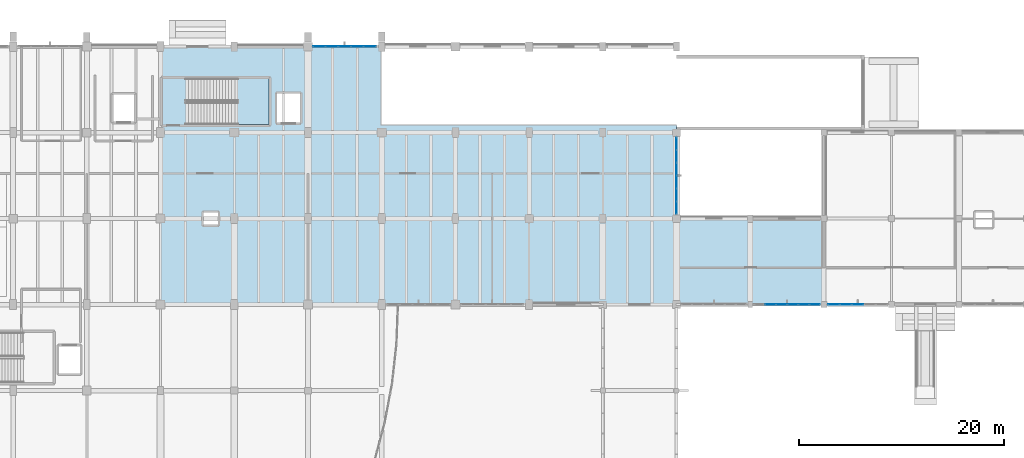
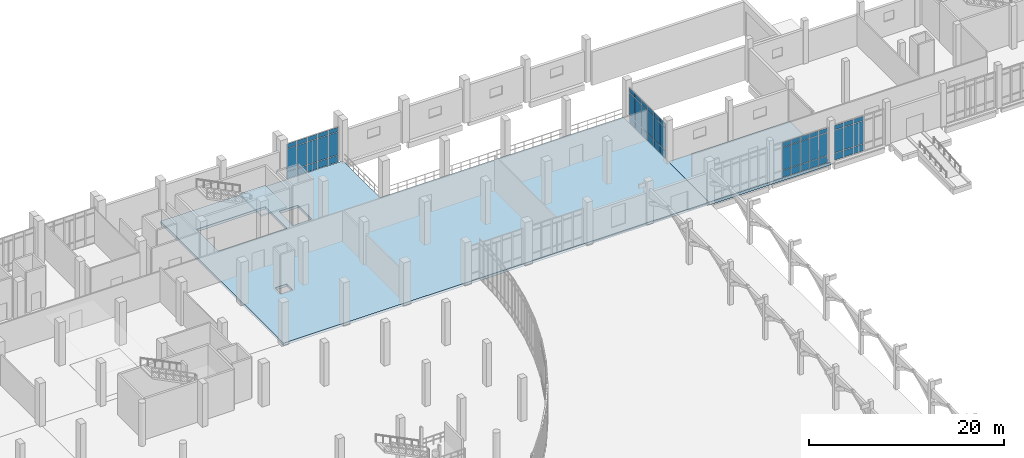
# One storey, part 85 of 110: 57 plates, 3 slabs, 5 elements without a shape of their own.
"""IFC4 building model written with IfcOpenShell, lengths in metres."""

from ifc_helpers import new_model, si_unit, direction, frame, origin, origin_2d, place, context, subcontext, project, spatial, polyline, rectangle, outline, extrude, material, layer, layer_set, type_object, element, aggregate, save


model = new_model("IFC4")

# Units and contexts
model_context = context("Model", 3, precision=1e-05, world=origin(), true_north=direction((0.0, 1.0)))
body_context = subcontext(model_context, "Body", "Model", "MODEL_VIEW")
ifc_project = project(units=[si_unit("LENGTHUNIT", "METRE"), si_unit("AREAUNIT", "SQUARE_METRE"), si_unit("VOLUMEUNIT", "CUBIC_METRE"), si_unit("PLANEANGLEUNIT", "RADIAN"), si_unit("MASSUNIT", "GRAM", prefix="KILO")], contexts=[model_context])

# Site, building, storey
site_placement = place(None, origin())
site = spatial("IfcSite", under=ifc_project, at=site_placement, CompositionType="ELEMENT")
building_placement = place(site_placement, origin())
building = spatial("IfcBuilding", under=site, at=building_placement, Name="Kalluvel Institute of Natural Sciences", CompositionType="ELEMENT")
storey_placement = place(building_placement, origin())
storey = spatial("IfcBuildingStorey", under=building, at=storey_placement, Name="L00", CompositionType="ELEMENT", Elevation=0.0)

# Curtain wall, plates
ifc_material_1 = material(Name="Aluminium AW-6063 T6", Category="aluminium")
curtain_wall_type_1 = type_object("IfcCurtainWallType", Name="CW-WET-54", PredefinedType="USERDEFINED", material=ifc_material_1)
curtain_wall_1_placement = place(storey_placement, origin())
curtain_wall_1 = element("IfcCurtainWall", 1, at=curtain_wall_1_placement, inside=storey, type_object=curtain_wall_type_1, Name="L00 Gothic lancet curtain wall CWA-L00-X793-Y1280", ObjectType="UNITISED LANCET FACADE", PredefinedType="USERDEFINED")
ifc_material_2 = material(Name="Solar-Control Low-E Laminated Glass", Category="glass")
ifc_layer_1 = layer(ifc_material_2, 0.028076171875)
ifc_layer_set_1 = layer_set([ifc_layer_1], Name="Solar-Control Low-E Laminated Glass")
plate_type = type_object("IfcPlateType", Name="CWP-DGU-28", PredefinedType="CURTAIN_PANEL", material=ifc_layer_set_1)
plate_1_placement = place(storey_placement, frame((79.909912109375, 128.0, 0.06005859375), z_axis=(0.0, 0.0, 1.0), x_axis=(1.0, 0.0, 0.0)))
plate_1 = element("IfcPlate", 2, at=plate_1_placement, type_object=plate_type, Name="CW-02 panel 1.1", PredefinedType="CURTAIN_PANEL", context=body_context, shape_type="SweptSolid", body=[
    extrude(rectangle(XDim=1.14990234375, YDim=0.028076171875, at=origin_2d()), origin(), (0.0, 0.0, 1.0), 0.860107421875),
])
plate_2_placement = place(storey_placement, frame((79.909912109375, 128.0, 0.97998046875), z_axis=(0.0, 0.0, 1.0), x_axis=(1.0, 0.0, 0.0)))
plate_2 = element("IfcPlate", 3, at=plate_2_placement, type_object=plate_type, Name="CW-02 panel 1.2", PredefinedType="CURTAIN_PANEL", context=body_context, shape_type="SweptSolid", body=[
    extrude(rectangle(XDim=1.14990234375, YDim=0.028076171875, at=origin_2d()), origin(), (0.0, 0.0, 1.0), 2.820068359375),
])
plate_3_placement = place(storey_placement, frame((79.909912109375, 128.0, 3.85986328125), z_axis=(0.0, 0.0, 1.0), x_axis=(1.0, 0.0, 0.0)))
plate_3 = element("IfcPlate", 4, at=plate_3_placement, type_object=plate_type, Name="CW-02 panel 1.3", PredefinedType="CURTAIN_PANEL", context=body_context, shape_type="SweptSolid", body=[
    extrude(rectangle(XDim=1.14990234375, YDim=0.028076171875, at=origin_2d()), origin(), (0.0, 0.0, 1.0), 0.56005859375),
])
plate_4_placement = place(storey_placement, frame((81.135009765625, 128.0, 0.06005859375), z_axis=(0.0, 0.0, 1.0), x_axis=(1.0, 0.0, 0.0)))
plate_4 = element("IfcPlate", 5, at=plate_4_placement, type_object=plate_type, Name="CW-02 panel 2.1", PredefinedType="CURTAIN_PANEL", context=body_context, shape_type="SweptSolid", body=[
    extrude(rectangle(XDim=1.179931640625, YDim=0.028076171875, at=origin_2d()), origin(), (0.0, 0.0, 1.0), 0.860107421875),
])
plate_5_placement = place(storey_placement, frame((81.135009765625, 128.0, 0.97998046875), z_axis=(0.0, 0.0, 1.0), x_axis=(1.0, 0.0, 0.0)))
plate_5 = element("IfcPlate", 6, at=plate_5_placement, type_object=plate_type, Name="CW-02 panel 2.2", PredefinedType="CURTAIN_PANEL", context=body_context, shape_type="SweptSolid", body=[
    extrude(rectangle(XDim=1.179931640625, YDim=0.028076171875, at=origin_2d()), origin(), (0.0, 0.0, 1.0), 2.820068359375),
])
plate_6_placement = place(storey_placement, frame((81.135009765625, 128.0, 3.85986328125), z_axis=(0.0, 0.0, 1.0), x_axis=(1.0, 0.0, 0.0)))
plate_6 = element("IfcPlate", 7, at=plate_6_placement, type_object=plate_type, Name="CW-02 panel 2.3", PredefinedType="CURTAIN_PANEL", context=body_context, shape_type="SweptSolid", body=[
    extrude(rectangle(XDim=1.179931640625, YDim=0.028076171875, at=origin_2d()), origin(), (0.0, 0.0, 1.0), 0.56005859375),
])
plate_7_placement = place(storey_placement, frame((82.375, 128.0, 0.06005859375), z_axis=(0.0, 0.0, 1.0), x_axis=(1.0, 0.0, 0.0)))
plate_7 = element("IfcPlate", 8, at=plate_7_placement, type_object=plate_type, Name="CW-02 panel 3.1", PredefinedType="CURTAIN_PANEL", context=body_context, shape_type="SweptSolid", body=[
    extrude(rectangle(XDim=1.179931640625, YDim=0.028076171875, at=origin_2d()), origin(), (0.0, 0.0, 1.0), 0.860107421875),
])
plate_8_placement = place(storey_placement, frame((82.375, 128.0, 0.97998046875), z_axis=(0.0, 0.0, 1.0), x_axis=(1.0, 0.0, 0.0)))
plate_8 = element("IfcPlate", 9, at=plate_8_placement, type_object=plate_type, Name="CW-02 panel 3.2", PredefinedType="CURTAIN_PANEL", context=body_context, shape_type="SweptSolid", body=[
    extrude(rectangle(XDim=1.179931640625, YDim=0.028076171875, at=origin_2d()), origin(), (0.0, 0.0, 1.0), 2.820068359375),
])
plate_9_placement = place(storey_placement, frame((82.375, 128.0, 3.85986328125), z_axis=(0.0, 0.0, 1.0), x_axis=(1.0, 0.0, 0.0)))
plate_9 = element("IfcPlate", 10, at=plate_9_placement, type_object=plate_type, Name="CW-02 panel 3.3", PredefinedType="CURTAIN_PANEL", context=body_context, shape_type="SweptSolid", body=[
    extrude(rectangle(XDim=1.179931640625, YDim=0.028076171875, at=origin_2d()), origin(), (0.0, 0.0, 1.0), 0.56005859375),
])
plate_10_placement = place(storey_placement, frame((83.614990234375, 128.0, 0.06005859375), z_axis=(0.0, 0.0, 1.0), x_axis=(1.0, 0.0, 0.0)))
plate_10 = element("IfcPlate", 11, at=plate_10_placement, type_object=plate_type, Name="CW-02 panel 4.1", PredefinedType="CURTAIN_PANEL", context=body_context, shape_type="SweptSolid", body=[
    extrude(rectangle(XDim=1.179931640625, YDim=0.028076171875, at=origin_2d()), origin(), (0.0, 0.0, 1.0), 0.860107421875),
])
plate_11_placement = place(storey_placement, frame((83.614990234375, 128.0, 0.97998046875), z_axis=(0.0, 0.0, 1.0), x_axis=(1.0, 0.0, 0.0)))
plate_11 = element("IfcPlate", 12, at=plate_11_placement, type_object=plate_type, Name="CW-02 panel 4.2", PredefinedType="CURTAIN_PANEL", context=body_context, shape_type="SweptSolid", body=[
    extrude(rectangle(XDim=1.179931640625, YDim=0.028076171875, at=origin_2d()), origin(), (0.0, 0.0, 1.0), 2.820068359375),
])
plate_12_placement = place(storey_placement, frame((83.614990234375, 128.0, 3.85986328125), z_axis=(0.0, 0.0, 1.0), x_axis=(1.0, 0.0, 0.0)))
plate_12 = element("IfcPlate", 13, at=plate_12_placement, type_object=plate_type, Name="CW-02 panel 4.3", PredefinedType="CURTAIN_PANEL", context=body_context, shape_type="SweptSolid", body=[
    extrude(rectangle(XDim=1.179931640625, YDim=0.028076171875, at=origin_2d()), origin(), (0.0, 0.0, 1.0), 0.56005859375),
])
plate_13_placement = place(storey_placement, frame((84.840087890625, 128.0, 0.06005859375), z_axis=(0.0, 0.0, 1.0), x_axis=(1.0, 0.0, 0.0)))
plate_13 = element("IfcPlate", 14, at=plate_13_placement, type_object=plate_type, Name="CW-02 panel 5.1", PredefinedType="CURTAIN_PANEL", context=body_context, shape_type="SweptSolid", body=[
    extrude(rectangle(XDim=1.14990234375, YDim=0.028076171875, at=origin_2d()), origin(), (0.0, 0.0, 1.0), 0.860107421875),
])
plate_14_placement = place(storey_placement, frame((84.840087890625, 128.0, 0.97998046875), z_axis=(0.0, 0.0, 1.0), x_axis=(1.0, 0.0, 0.0)))
plate_14 = element("IfcPlate", 15, at=plate_14_placement, type_object=plate_type, Name="CW-02 panel 5.2", PredefinedType="CURTAIN_PANEL", context=body_context, shape_type="SweptSolid", body=[
    extrude(rectangle(XDim=1.14990234375, YDim=0.028076171875, at=origin_2d()), origin(), (0.0, 0.0, 1.0), 2.820068359375),
])
plate_15_placement = place(storey_placement, frame((84.840087890625, 128.0, 3.85986328125), z_axis=(0.0, 0.0, 1.0), x_axis=(1.0, 0.0, 0.0)))
plate_15 = element("IfcPlate", 16, at=plate_15_placement, type_object=plate_type, Name="CW-02 panel 5.3", PredefinedType="CURTAIN_PANEL", context=body_context, shape_type="SweptSolid", body=[
    extrude(rectangle(XDim=1.14990234375, YDim=0.028076171875, at=origin_2d()), origin(), (0.0, 0.0, 1.0), 0.56005859375),
])
aggregate(curtain_wall_1, [plate_1, plate_2, plate_3, plate_4, plate_5, plate_6, plate_7, plate_8, plate_9, plate_10, plate_11, plate_12, plate_13, plate_14, plate_15])

curtain_wall_2_placement = place(storey_placement, origin())
curtain_wall_2 = element("IfcCurtainWall", 17, at=curtain_wall_2_placement, inside=storey, type_object=curtain_wall_type_1, Name="L00 Gothic lancet curtain wall CWA-L00-X1148-Y1116", ObjectType="UNITISED LANCET FACADE", PredefinedType="USERDEFINED")
plate_16_placement = place(storey_placement, frame((114.800048828125, 112.269287109375, 0.06005859375), z_axis=(0.0, 0.0, 1.0), x_axis=(0.0, 1.0, 0.0)))
plate_16 = element("IfcPlate", 18, at=plate_16_placement, type_object=plate_type, Name="CW-02 panel 1.1", PredefinedType="CURTAIN_PANEL", context=body_context, shape_type="SweptSolid", body=[
    extrude(rectangle(XDim=1.168212890625, YDim=0.028076171875, at=origin_2d()), origin(), (0.0, 0.0, 1.0), 0.860107421875),
])
plate_17_placement = place(storey_placement, frame((114.800048828125, 112.269287109375, 0.97998046875), z_axis=(0.0, 0.0, 1.0), x_axis=(0.0, 1.0, 0.0)))
plate_17 = element("IfcPlate", 19, at=plate_17_placement, type_object=plate_type, Name="CW-02 panel 1.2", PredefinedType="CURTAIN_PANEL", context=body_context, shape_type="SweptSolid", body=[
    extrude(rectangle(XDim=1.168212890625, YDim=0.028076171875, at=origin_2d()), origin(), (0.0, 0.0, 1.0), 2.820068359375),
])
plate_18_placement = place(storey_placement, frame((114.800048828125, 112.269287109375, 3.85986328125), z_axis=(0.0, 0.0, 1.0), x_axis=(0.0, 1.0, 0.0)))
plate_18 = element("IfcPlate", 20, at=plate_18_placement, type_object=plate_type, Name="CW-02 panel 1.3", PredefinedType="CURTAIN_PANEL", context=body_context, shape_type="SweptSolid", body=[
    extrude(rectangle(XDim=1.168212890625, YDim=0.028076171875, at=origin_2d()), origin(), (0.0, 0.0, 1.0), 0.56005859375),
])
plate_19_placement = place(storey_placement, frame((114.800048828125, 113.512451171875, 0.06005859375), z_axis=(0.0, 0.0, 1.0), x_axis=(0.0, 1.0, 0.0)))
plate_19 = element("IfcPlate", 21, at=plate_19_placement, type_object=plate_type, Name="CW-02 panel 2.1", PredefinedType="CURTAIN_PANEL", context=body_context, shape_type="SweptSolid", body=[
    extrude(rectangle(XDim=1.1982421875, YDim=0.028076171875, at=origin_2d()), origin(), (0.0, 0.0, 1.0), 0.860107421875),
])
plate_20_placement = place(storey_placement, frame((114.800048828125, 113.512451171875, 0.97998046875), z_axis=(0.0, 0.0, 1.0), x_axis=(0.0, 1.0, 0.0)))
plate_20 = element("IfcPlate", 22, at=plate_20_placement, type_object=plate_type, Name="CW-02 panel 2.2", PredefinedType="CURTAIN_PANEL", context=body_context, shape_type="SweptSolid", body=[
    extrude(rectangle(XDim=1.1982421875, YDim=0.028076171875, at=origin_2d()), origin(), (0.0, 0.0, 1.0), 2.820068359375),
])
plate_21_placement = place(storey_placement, frame((114.800048828125, 113.512451171875, 3.85986328125), z_axis=(0.0, 0.0, 1.0), x_axis=(0.0, 1.0, 0.0)))
plate_21 = element("IfcPlate", 23, at=plate_21_placement, type_object=plate_type, Name="CW-02 panel 2.3", PredefinedType="CURTAIN_PANEL", context=body_context, shape_type="SweptSolid", body=[
    extrude(rectangle(XDim=1.1982421875, YDim=0.028076171875, at=origin_2d()), origin(), (0.0, 0.0, 1.0), 0.56005859375),
])
plate_22_placement = place(storey_placement, frame((114.800048828125, 114.770751953125, 0.06005859375), z_axis=(0.0, 0.0, 1.0), x_axis=(0.0, 1.0, 0.0)))
plate_22 = element("IfcPlate", 24, at=plate_22_placement, type_object=plate_type, Name="CW-02 panel 3.1", PredefinedType="CURTAIN_PANEL", context=body_context, shape_type="SweptSolid", body=[
    extrude(rectangle(XDim=1.1982421875, YDim=0.028076171875, at=origin_2d()), origin(), (0.0, 0.0, 1.0), 0.860107421875),
])
plate_23_placement = place(storey_placement, frame((114.800048828125, 114.770751953125, 0.97998046875), z_axis=(0.0, 0.0, 1.0), x_axis=(0.0, 1.0, 0.0)))
plate_23 = element("IfcPlate", 25, at=plate_23_placement, type_object=plate_type, Name="CW-02 panel 3.2", PredefinedType="CURTAIN_PANEL", context=body_context, shape_type="SweptSolid", body=[
    extrude(rectangle(XDim=1.1982421875, YDim=0.028076171875, at=origin_2d()), origin(), (0.0, 0.0, 1.0), 2.820068359375),
])
plate_24_placement = place(storey_placement, frame((114.800048828125, 114.770751953125, 3.85986328125), z_axis=(0.0, 0.0, 1.0), x_axis=(0.0, 1.0, 0.0)))
plate_24 = element("IfcPlate", 26, at=plate_24_placement, type_object=plate_type, Name="CW-02 panel 3.3", PredefinedType="CURTAIN_PANEL", context=body_context, shape_type="SweptSolid", body=[
    extrude(rectangle(XDim=1.1982421875, YDim=0.028076171875, at=origin_2d()), origin(), (0.0, 0.0, 1.0), 0.56005859375),
])
plate_25_placement = place(storey_placement, frame((114.800048828125, 116.029052734375, 0.06005859375), z_axis=(0.0, 0.0, 1.0), x_axis=(0.0, 1.0, 0.0)))
plate_25 = element("IfcPlate", 27, at=plate_25_placement, type_object=plate_type, Name="CW-02 panel 4.1", PredefinedType="CURTAIN_PANEL", context=body_context, shape_type="SweptSolid", body=[
    extrude(rectangle(XDim=1.1982421875, YDim=0.028076171875, at=origin_2d()), origin(), (0.0, 0.0, 1.0), 0.860107421875),
])
plate_26_placement = place(storey_placement, frame((114.800048828125, 116.029052734375, 0.97998046875), z_axis=(0.0, 0.0, 1.0), x_axis=(0.0, 1.0, 0.0)))
plate_26 = element("IfcPlate", 28, at=plate_26_placement, type_object=plate_type, Name="CW-02 panel 4.2", PredefinedType="CURTAIN_PANEL", context=body_context, shape_type="SweptSolid", body=[
    extrude(rectangle(XDim=1.1982421875, YDim=0.028076171875, at=origin_2d()), origin(), (0.0, 0.0, 1.0), 2.820068359375),
])
plate_27_placement = place(storey_placement, frame((114.800048828125, 116.029052734375, 3.85986328125), z_axis=(0.0, 0.0, 1.0), x_axis=(0.0, 1.0, 0.0)))
plate_27 = element("IfcPlate", 29, at=plate_27_placement, type_object=plate_type, Name="CW-02 panel 4.3", PredefinedType="CURTAIN_PANEL", context=body_context, shape_type="SweptSolid", body=[
    extrude(rectangle(XDim=1.1982421875, YDim=0.028076171875, at=origin_2d()), origin(), (0.0, 0.0, 1.0), 0.56005859375),
])
plate_28_placement = place(storey_placement, frame((114.800048828125, 117.28759765625, 0.06005859375), z_axis=(0.0, 0.0, 1.0), x_axis=(0.0, 1.0, 0.0)))
plate_28 = element("IfcPlate", 30, at=plate_28_placement, type_object=plate_type, Name="CW-02 panel 5.1", PredefinedType="CURTAIN_PANEL", context=body_context, shape_type="SweptSolid", body=[
    extrude(rectangle(XDim=1.1982421875, YDim=0.028076171875, at=origin_2d()), origin(), (0.0, 0.0, 1.0), 0.860107421875),
])
plate_29_placement = place(storey_placement, frame((114.800048828125, 117.28759765625, 0.97998046875), z_axis=(0.0, 0.0, 1.0), x_axis=(0.0, 1.0, 0.0)))
plate_29 = element("IfcPlate", 31, at=plate_29_placement, type_object=plate_type, Name="CW-02 panel 5.2", PredefinedType="CURTAIN_PANEL", context=body_context, shape_type="SweptSolid", body=[
    extrude(rectangle(XDim=1.1982421875, YDim=0.028076171875, at=origin_2d()), origin(), (0.0, 0.0, 1.0), 2.820068359375),
])
plate_30_placement = place(storey_placement, frame((114.800048828125, 117.28759765625, 3.85986328125), z_axis=(0.0, 0.0, 1.0), x_axis=(0.0, 1.0, 0.0)))
plate_30 = element("IfcPlate", 32, at=plate_30_placement, type_object=plate_type, Name="CW-02 panel 5.3", PredefinedType="CURTAIN_PANEL", context=body_context, shape_type="SweptSolid", body=[
    extrude(rectangle(XDim=1.1982421875, YDim=0.028076171875, at=origin_2d()), origin(), (0.0, 0.0, 1.0), 0.56005859375),
])
plate_31_placement = place(storey_placement, frame((114.800048828125, 118.53076171875, 0.06005859375), z_axis=(0.0, 0.0, 1.0), x_axis=(0.0, 1.0, 0.0)))
plate_31 = element("IfcPlate", 33, at=plate_31_placement, type_object=plate_type, Name="CW-02 panel 6.1", PredefinedType="CURTAIN_PANEL", context=body_context, shape_type="SweptSolid", body=[
    extrude(rectangle(XDim=1.168212890625, YDim=0.028076171875, at=origin_2d()), origin(), (0.0, 0.0, 1.0), 0.860107421875),
])
plate_32_placement = place(storey_placement, frame((114.800048828125, 118.53076171875, 0.97998046875), z_axis=(0.0, 0.0, 1.0), x_axis=(0.0, 1.0, 0.0)))
plate_32 = element("IfcPlate", 34, at=plate_32_placement, type_object=plate_type, Name="CW-02 panel 6.2", PredefinedType="CURTAIN_PANEL", context=body_context, shape_type="SweptSolid", body=[
    extrude(rectangle(XDim=1.168212890625, YDim=0.028076171875, at=origin_2d()), origin(), (0.0, 0.0, 1.0), 2.820068359375),
])
plate_33_placement = place(storey_placement, frame((114.800048828125, 118.53076171875, 3.85986328125), z_axis=(0.0, 0.0, 1.0), x_axis=(0.0, 1.0, 0.0)))
plate_33 = element("IfcPlate", 35, at=plate_33_placement, type_object=plate_type, Name="CW-02 panel 6.3", PredefinedType="CURTAIN_PANEL", context=body_context, shape_type="SweptSolid", body=[
    extrude(rectangle(XDim=1.168212890625, YDim=0.028076171875, at=origin_2d()), origin(), (0.0, 0.0, 1.0), 0.56005859375),
])
aggregate(curtain_wall_2, [plate_16, plate_17, plate_18, plate_19, plate_20, plate_21, plate_22, plate_23, plate_24, plate_25, plate_26, plate_27, plate_28, plate_29, plate_30, plate_31, plate_32, plate_33])

curtain_wall_type_2 = type_object("IfcCurtainWallType", Name="CW-CLN-54", PredefinedType="USERDEFINED", material=ifc_material_1)
curtain_wall_3_placement = place(storey_placement, origin())
curtain_wall_3 = element("IfcCurtainWall", 36, at=curtain_wall_3_placement, inside=storey, type_object=curtain_wall_type_2, Name="L00 Gothic lancet curtain wall CWA-L00-X1224-Y1028", ObjectType="UNITISED LANCET FACADE", PredefinedType="USERDEFINED")
plate_34_placement = place(storey_placement, frame((123.97509765625, 102.800048828125, 0.06494140625), z_axis=(0.0, 0.0, 1.0), x_axis=(1.0, 0.0, 0.0)))
plate_34 = element("IfcPlate", 37, at=plate_34_placement, type_object=plate_type, Name="CW-09 panel 2.1", PredefinedType="CURTAIN_PANEL", context=body_context, shape_type="SweptSolid", body=[
    extrude(rectangle(XDim=1.018310546875, YDim=0.028076171875, at=origin_2d()), origin(), (0.0, 0.0, 1.0), 0.8525390625),
])
plate_35_placement = place(storey_placement, frame((123.97509765625, 102.800048828125, 0.982421875), z_axis=(0.0, 0.0, 1.0), x_axis=(1.0, 0.0, 0.0)))
plate_35 = element("IfcPlate", 38, at=plate_35_placement, type_object=plate_type, Name="CW-09 panel 2.2", PredefinedType="CURTAIN_PANEL", context=body_context, shape_type="SweptSolid", body=[
    extrude(rectangle(XDim=1.018310546875, YDim=0.028076171875, at=origin_2d()), origin(), (0.0, 0.0, 1.0), 2.81494140625),
])
plate_36_placement = place(storey_placement, frame((123.97509765625, 102.800048828125, 3.8623046875), z_axis=(0.0, 0.0, 1.0), x_axis=(1.0, 0.0, 0.0)))
plate_36 = element("IfcPlate", 39, at=plate_36_placement, type_object=plate_type, Name="CW-09 panel 2.3", PredefinedType="CURTAIN_PANEL", context=body_context, shape_type="SweptSolid", body=[
    extrude(rectangle(XDim=1.018310546875, YDim=0.028076171875, at=origin_2d()), origin(), (0.0, 0.0, 1.0), 0.552490234375),
])
plate_37_placement = place(storey_placement, frame((125.058349609375, 102.800048828125, 0.06494140625), z_axis=(0.0, 0.0, 1.0), x_axis=(1.0, 0.0, 0.0)))
plate_37 = element("IfcPlate", 40, at=plate_37_placement, type_object=plate_type, Name="CW-09 panel 3.1", PredefinedType="CURTAIN_PANEL", context=body_context, shape_type="SweptSolid", body=[
    extrude(rectangle(XDim=1.018310546875, YDim=0.028076171875, at=origin_2d()), origin(), (0.0, 0.0, 1.0), 0.8525390625),
])
plate_38_placement = place(storey_placement, frame((125.058349609375, 102.800048828125, 0.982421875), z_axis=(0.0, 0.0, 1.0), x_axis=(1.0, 0.0, 0.0)))
plate_38 = element("IfcPlate", 41, at=plate_38_placement, type_object=plate_type, Name="CW-09 panel 3.2", PredefinedType="CURTAIN_PANEL", context=body_context, shape_type="SweptSolid", body=[
    extrude(rectangle(XDim=1.018310546875, YDim=0.028076171875, at=origin_2d()), origin(), (0.0, 0.0, 1.0), 2.81494140625),
])
plate_39_placement = place(storey_placement, frame((125.058349609375, 102.800048828125, 3.8623046875), z_axis=(0.0, 0.0, 1.0), x_axis=(1.0, 0.0, 0.0)))
plate_39 = element("IfcPlate", 42, at=plate_39_placement, type_object=plate_type, Name="CW-09 panel 3.3", PredefinedType="CURTAIN_PANEL", context=body_context, shape_type="SweptSolid", body=[
    extrude(rectangle(XDim=1.018310546875, YDim=0.028076171875, at=origin_2d()), origin(), (0.0, 0.0, 1.0), 0.552490234375),
])
plate_40_placement = place(storey_placement, frame((126.1416015625, 102.800048828125, 0.06494140625), z_axis=(0.0, 0.0, 1.0), x_axis=(1.0, 0.0, 0.0)))
plate_40 = element("IfcPlate", 43, at=plate_40_placement, type_object=plate_type, Name="CW-09 panel 4.1", PredefinedType="CURTAIN_PANEL", context=body_context, shape_type="SweptSolid", body=[
    extrude(rectangle(XDim=1.018310546875, YDim=0.028076171875, at=origin_2d()), origin(), (0.0, 0.0, 1.0), 0.8525390625),
])
plate_41_placement = place(storey_placement, frame((126.1416015625, 102.800048828125, 0.982421875), z_axis=(0.0, 0.0, 1.0), x_axis=(1.0, 0.0, 0.0)))
plate_41 = element("IfcPlate", 44, at=plate_41_placement, type_object=plate_type, Name="CW-09 panel 4.2", PredefinedType="CURTAIN_PANEL", context=body_context, shape_type="SweptSolid", body=[
    extrude(rectangle(XDim=1.018310546875, YDim=0.028076171875, at=origin_2d()), origin(), (0.0, 0.0, 1.0), 2.81494140625),
])
plate_42_placement = place(storey_placement, frame((126.1416015625, 102.800048828125, 3.8623046875), z_axis=(0.0, 0.0, 1.0), x_axis=(1.0, 0.0, 0.0)))
plate_42 = element("IfcPlate", 45, at=plate_42_placement, type_object=plate_type, Name="CW-09 panel 4.3", PredefinedType="CURTAIN_PANEL", context=body_context, shape_type="SweptSolid", body=[
    extrude(rectangle(XDim=1.018310546875, YDim=0.028076171875, at=origin_2d()), origin(), (0.0, 0.0, 1.0), 0.552490234375),
])
plate_43_placement = place(storey_placement, frame((127.22509765625, 102.800048828125, 0.06494140625), z_axis=(0.0, 0.0, 1.0), x_axis=(1.0, 0.0, 0.0)))
plate_43 = element("IfcPlate", 46, at=plate_43_placement, type_object=plate_type, Name="CW-09 panel 5.1", PredefinedType="CURTAIN_PANEL", context=body_context, shape_type="SweptSolid", body=[
    extrude(rectangle(XDim=1.018310546875, YDim=0.028076171875, at=origin_2d()), origin(), (0.0, 0.0, 1.0), 0.8525390625),
])
plate_44_placement = place(storey_placement, frame((127.22509765625, 102.800048828125, 0.982421875), z_axis=(0.0, 0.0, 1.0), x_axis=(1.0, 0.0, 0.0)))
plate_44 = element("IfcPlate", 47, at=plate_44_placement, type_object=plate_type, Name="CW-09 panel 5.2", PredefinedType="CURTAIN_PANEL", context=body_context, shape_type="SweptSolid", body=[
    extrude(rectangle(XDim=1.018310546875, YDim=0.028076171875, at=origin_2d()), origin(), (0.0, 0.0, 1.0), 2.81494140625),
])
plate_45_placement = place(storey_placement, frame((127.22509765625, 102.800048828125, 3.8623046875), z_axis=(0.0, 0.0, 1.0), x_axis=(1.0, 0.0, 0.0)))
plate_45 = element("IfcPlate", 48, at=plate_45_placement, type_object=plate_type, Name="CW-09 panel 5.3", PredefinedType="CURTAIN_PANEL", context=body_context, shape_type="SweptSolid", body=[
    extrude(rectangle(XDim=1.018310546875, YDim=0.028076171875, at=origin_2d()), origin(), (0.0, 0.0, 1.0), 0.552490234375),
])
plate_46_placement = place(storey_placement, frame((128.2919921875, 102.800048828125, 0.06494140625), z_axis=(0.0, 0.0, 1.0), x_axis=(1.0, 0.0, 0.0)))
plate_46 = element("IfcPlate", 49, at=plate_46_placement, type_object=plate_type, Name="CW-09 panel 6.1", PredefinedType="CURTAIN_PANEL", context=body_context, shape_type="SweptSolid", body=[
    extrude(rectangle(XDim=0.98583984375, YDim=0.028076171875, at=origin_2d()), origin(), (0.0, 0.0, 1.0), 0.8525390625),
])
plate_47_placement = place(storey_placement, frame((128.2919921875, 102.800048828125, 0.982421875), z_axis=(0.0, 0.0, 1.0), x_axis=(1.0, 0.0, 0.0)))
plate_47 = element("IfcPlate", 50, at=plate_47_placement, type_object=plate_type, Name="CW-09 panel 6.2", PredefinedType="CURTAIN_PANEL", context=body_context, shape_type="SweptSolid", body=[
    extrude(rectangle(XDim=0.98583984375, YDim=0.028076171875, at=origin_2d()), origin(), (0.0, 0.0, 1.0), 2.81494140625),
])
plate_48_placement = place(storey_placement, frame((128.2919921875, 102.800048828125, 3.8623046875), z_axis=(0.0, 0.0, 1.0), x_axis=(1.0, 0.0, 0.0)))
plate_48 = element("IfcPlate", 51, at=plate_48_placement, type_object=plate_type, Name="CW-09 panel 6.3", PredefinedType="CURTAIN_PANEL", context=body_context, shape_type="SweptSolid", body=[
    extrude(rectangle(XDim=0.98583984375, YDim=0.028076171875, at=origin_2d()), origin(), (0.0, 0.0, 1.0), 0.552490234375),
])
aggregate(curtain_wall_3, [plate_34, plate_35, plate_36, plate_37, plate_38, plate_39, plate_40, plate_41, plate_42, plate_43, plate_44, plate_45, plate_46, plate_47, plate_48])

curtain_wall_4_placement = place(storey_placement, origin())
curtain_wall_4 = element("IfcCurtainWall", 52, at=curtain_wall_4_placement, inside=storey, type_object=curtain_wall_type_2, Name="L00 Gothic lancet curtain wall CWA-L00-X1296-Y1028", ObjectType="UNITISED LANCET FACADE", PredefinedType="USERDEFINED")
plate_49_placement = place(storey_placement, frame((130.15625, 102.800048828125, 0.06494140625), z_axis=(0.0, 0.0, 1.0), x_axis=(1.0, 0.0, 0.0)))
plate_49 = element("IfcPlate", 53, at=plate_49_placement, type_object=plate_type, Name="CW-09 panel 1.1", PredefinedType="CURTAIN_PANEL", context=body_context, shape_type="SweptSolid", body=[
    extrude(rectangle(XDim=1.08251953125, YDim=0.028076171875, at=origin_2d()), origin(), (0.0, 0.0, 1.0), 0.8525390625),
])
plate_50_placement = place(storey_placement, frame((130.15625, 102.800048828125, 0.982421875), z_axis=(0.0, 0.0, 1.0), x_axis=(1.0, 0.0, 0.0)))
plate_50 = element("IfcPlate", 54, at=plate_50_placement, type_object=plate_type, Name="CW-09 panel 1.2", PredefinedType="CURTAIN_PANEL", context=body_context, shape_type="SweptSolid", body=[
    extrude(rectangle(XDim=1.08251953125, YDim=0.028076171875, at=origin_2d()), origin(), (0.0, 0.0, 1.0), 2.81494140625),
])
plate_51_placement = place(storey_placement, frame((130.15625, 102.800048828125, 3.8623046875), z_axis=(0.0, 0.0, 1.0), x_axis=(1.0, 0.0, 0.0)))
plate_51 = element("IfcPlate", 55, at=plate_51_placement, type_object=plate_type, Name="CW-09 panel 1.3", PredefinedType="CURTAIN_PANEL", context=body_context, shape_type="SweptSolid", body=[
    extrude(rectangle(XDim=1.08251953125, YDim=0.028076171875, at=origin_2d()), origin(), (0.0, 0.0, 1.0), 0.552490234375),
])
plate_52_placement = place(storey_placement, frame((131.320068359375, 102.800048828125, 0.06494140625), z_axis=(0.0, 0.0, 1.0), x_axis=(1.0, 0.0, 0.0)))
plate_52 = element("IfcPlate", 56, at=plate_52_placement, type_object=plate_type, Name="CW-09 panel 2.1", PredefinedType="CURTAIN_PANEL", context=body_context, shape_type="SweptSolid", body=[
    extrude(rectangle(XDim=1.114990234375, YDim=0.028076171875, at=origin_2d()), origin(), (0.0, 0.0, 1.0), 0.8525390625),
])
plate_53_placement = place(storey_placement, frame((131.320068359375, 102.800048828125, 0.982421875), z_axis=(0.0, 0.0, 1.0), x_axis=(1.0, 0.0, 0.0)))
plate_53 = element("IfcPlate", 57, at=plate_53_placement, type_object=plate_type, Name="CW-09 panel 2.2", PredefinedType="CURTAIN_PANEL", context=body_context, shape_type="SweptSolid", body=[
    extrude(rectangle(XDim=1.114990234375, YDim=0.028076171875, at=origin_2d()), origin(), (0.0, 0.0, 1.0), 2.81494140625),
])
plate_54_placement = place(storey_placement, frame((131.320068359375, 102.800048828125, 3.8623046875), z_axis=(0.0, 0.0, 1.0), x_axis=(1.0, 0.0, 0.0)))
plate_54 = element("IfcPlate", 58, at=plate_54_placement, type_object=plate_type, Name="CW-09 panel 2.3", PredefinedType="CURTAIN_PANEL", context=body_context, shape_type="SweptSolid", body=[
    extrude(rectangle(XDim=1.114990234375, YDim=0.028076171875, at=origin_2d()), origin(), (0.0, 0.0, 1.0), 0.552490234375),
])
plate_55_placement = place(storey_placement, frame((132.5, 102.800048828125, 0.06494140625), z_axis=(0.0, 0.0, 1.0), x_axis=(1.0, 0.0, 0.0)))
plate_55 = element("IfcPlate", 59, at=plate_55_placement, type_object=plate_type, Name="CW-09 panel 3.1", PredefinedType="CURTAIN_PANEL", context=body_context, shape_type="SweptSolid", body=[
    extrude(rectangle(XDim=1.114990234375, YDim=0.028076171875, at=origin_2d()), origin(), (0.0, 0.0, 1.0), 0.8525390625),
])
plate_56_placement = place(storey_placement, frame((132.5, 102.800048828125, 0.982421875), z_axis=(0.0, 0.0, 1.0), x_axis=(1.0, 0.0, 0.0)))
plate_56 = element("IfcPlate", 60, at=plate_56_placement, type_object=plate_type, Name="CW-09 panel 3.2", PredefinedType="CURTAIN_PANEL", context=body_context, shape_type="SweptSolid", body=[
    extrude(rectangle(XDim=1.114990234375, YDim=0.028076171875, at=origin_2d()), origin(), (0.0, 0.0, 1.0), 2.81494140625),
])
plate_57_placement = place(storey_placement, frame((132.5, 102.800048828125, 3.8623046875), z_axis=(0.0, 0.0, 1.0), x_axis=(1.0, 0.0, 0.0)))
plate_57 = element("IfcPlate", 61, at=plate_57_placement, type_object=plate_type, Name="CW-09 panel 3.3", PredefinedType="CURTAIN_PANEL", context=body_context, shape_type="SweptSolid", body=[
    extrude(rectangle(XDim=1.114990234375, YDim=0.028076171875, at=origin_2d()), origin(), (0.0, 0.0, 1.0), 0.552490234375),
])
aggregate(curtain_wall_4, [plate_49, plate_50, plate_51, plate_52, plate_53, plate_54, plate_55, plate_56, plate_57])

# Slabs
ifc_material_3 = material(Name="Concrete M50", Category="concrete")
ifc_layer_2 = layer(ifc_material_3, 0.360107421875)
ifc_layer_set_2 = layer_set([ifc_layer_2], Name="Concrete M50")
slab_type_1 = type_object("IfcSlabType", Name="SLB-CLN-360", PredefinedType="FLOOR", material=ifc_layer_set_2)
slab_1_placement = place(storey_placement, frame((0.0, 0.0, -0.360107421875)))
element("IfcSlab", 62, at=slab_1_placement, inside=storey, type_object=slab_type_1, Name="L00 Cleanroom Link Corridor Slab", PredefinedType="FLOOR", context=body_context, shape_type="SweptSolid", body=[
    extrude(outline(polyline([(114.800048828125, 102.800048828125), (129.199951171875, 102.800048828125), (129.199951171875, 111.199951171875), (114.800048828125, 111.199951171875), (114.800048828125, 102.800048828125)])), origin(), (0.0, 0.0, 1.0), 0.360107421875),
])
ifc_material_4 = material(Name="Concrete M40", Category="concrete")
ifc_layer_3 = layer(ifc_material_4, 0.320068359375)
ifc_layer_set_3 = layer_set([ifc_layer_3], Name="Concrete M40")
slab_type_2 = type_object("IfcSlabType", Name="SLB-WET-320", PredefinedType="FLOOR", material=ifc_layer_set_3)
slab_2_placement = place(storey_placement, frame((0.0, 0.0, -0.320068359375)))
element("IfcSlab", 63, at=slab_2_placement, inside=storey, type_object=slab_type_2, Name="L00 Wet Laboratory Waffle Floor Slab E", PredefinedType="FLOOR", context=body_context, shape_type="SweptSolid", body=[
    extrude(outline(polyline([(114.800048828125, 102.800048828125), (64.39990234375, 102.800048828125), (64.39990234375, 128.0), (86.0, 128.0), (86.0, 120.39990234375), (114.800048828125, 120.39990234375), (114.800048828125, 102.800048828125)]), holes=[polyline([(78.02001953125, 123.419921875), (78.02001953125, 120.580078125), (75.780029296875, 120.580078125), (75.780029296875, 123.419921875), (78.02001953125, 123.419921875)]), polyline([(75.0, 124.8701171875), (75.0, 120.39990234375), (66.867919921875, 120.39990234375), (66.867919921875, 124.8701171875), (75.0, 124.8701171875)]), polyline([(68.60009765625, 111.800048828125), (70.0, 111.800048828125), (70.0, 110.60009765625), (68.60009765625, 110.60009765625), (68.60009765625, 111.800048828125)])]), origin(), (0.0, 0.0, 1.0), 0.320068359375),
])

# Stair, slab
stair_type = type_object("IfcStairType", Name="STR-ST12-54", PredefinedType="HALF_TURN_STAIR", material=ifc_material_4)
stair_placement = place(storey_placement, origin())
stair = element("IfcStair", 64, at=stair_placement, inside=storey, type_object=stair_type, Name="L00 Wet Wing East Protected Exit Stair ST2", PredefinedType="HALF_TURN_STAIR")
ifc_layer_4 = layer(ifc_material_4, 0.199951171875)
ifc_layer_set_4 = layer_set([ifc_layer_4], Name="Concrete M40")
slab_type_3 = type_object("IfcSlabType", Name="SLD-ST12", PredefinedType="LANDING", material=ifc_layer_set_4)
slab_3_placement = place(storey_placement, frame((0.0, 0.0, 2.5)))
slab_3 = element("IfcSlab", 65, at=slab_3_placement, type_object=slab_type_3, Name="S1-54 landing 1", PredefinedType="LANDING", context=body_context, shape_type="SweptSolid", body=[
    extrude(outline(polyline([(71.931884765625, 120.39990234375), (75.0, 120.39990234375), (75.0, 124.8701171875), (71.931884765625, 124.8701171875), (71.931884765625, 120.39990234375)])), origin(), (0.0, 0.0, 1.0), 0.199951171875),
])
aggregate(stair, [slab_3])

save(model, "model.ifc")
